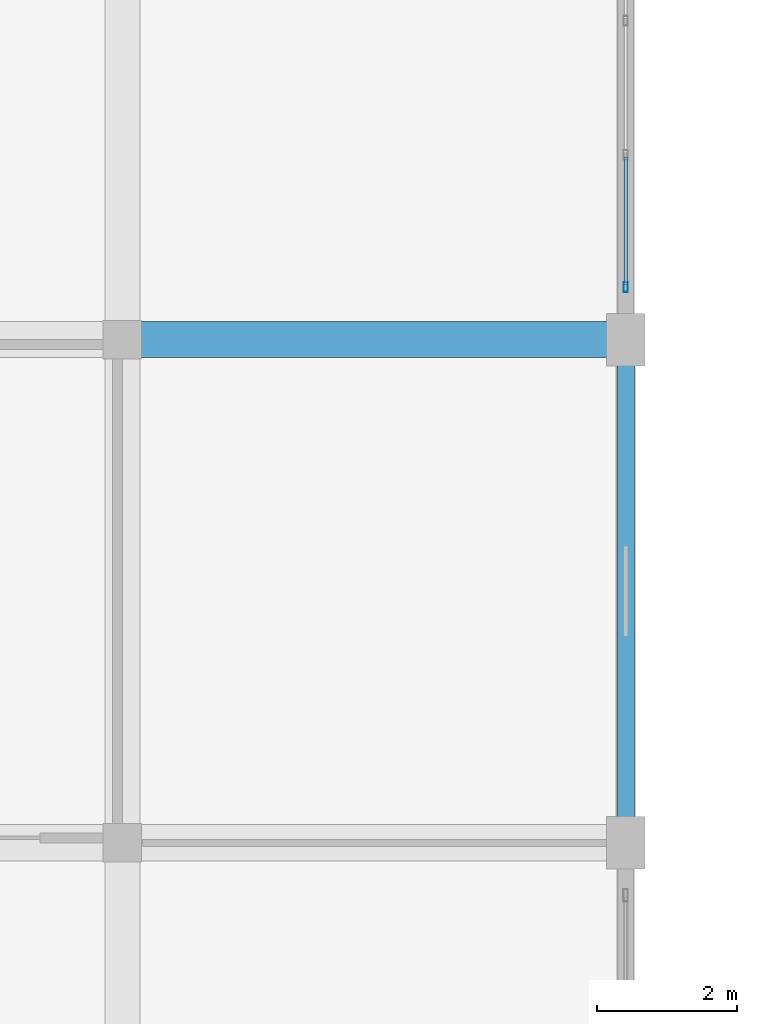
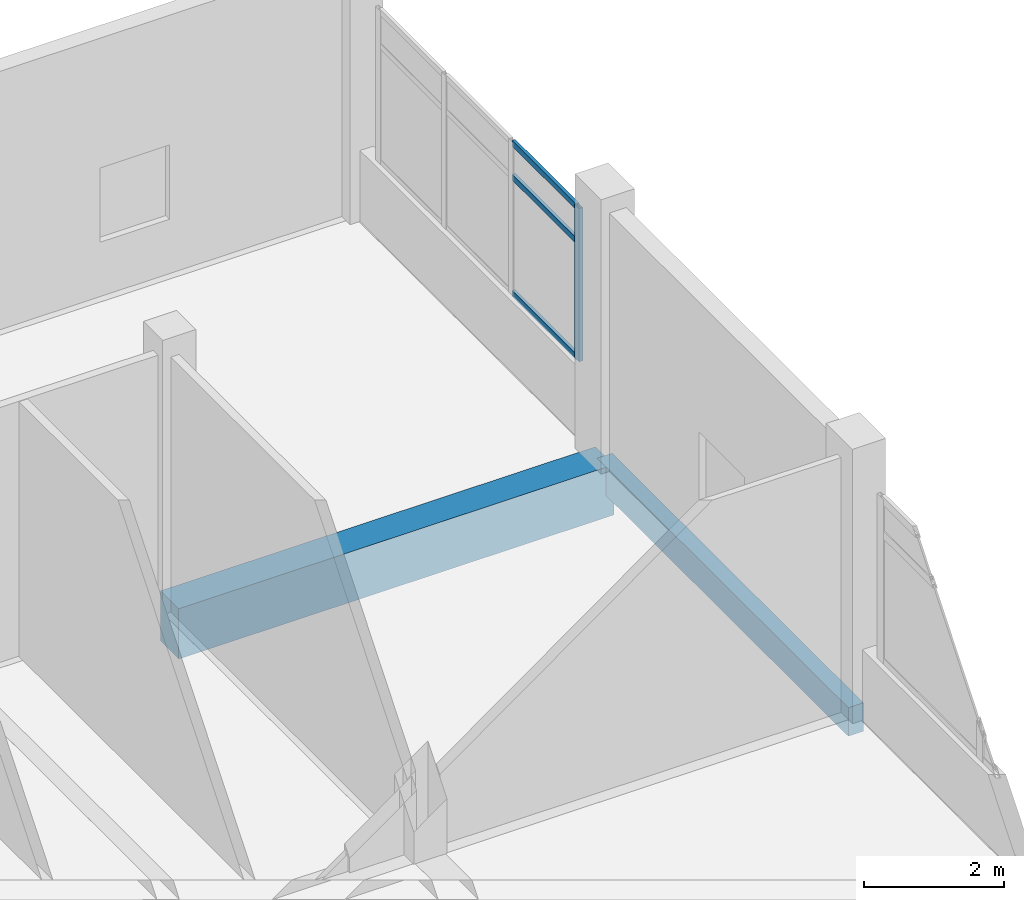
# One storey, part 89 of 140: 4 members, 2 beams, 1 element without a shape of its own.
"""IFC4 building model written with IfcOpenShell, lengths in metres."""

from ifc_helpers import new_model, si_unit, direction, frame, origin, origin_2d, place, context, subcontext, project, spatial, rectangle, hollow_rectangle, extrude, material, layer, layer_set, material_profile, profile_set, type_object, element, aggregate, save


model = new_model("IFC4")

# Units and contexts
model_context = context("Model", 3, precision=1e-05, world=origin(), true_north=direction((0.0, 1.0)))
body_context = subcontext(model_context, "Body", "Model", "MODEL_VIEW")
ifc_project = project(units=[si_unit("LENGTHUNIT", "METRE"), si_unit("AREAUNIT", "SQUARE_METRE"), si_unit("VOLUMEUNIT", "CUBIC_METRE"), si_unit("PLANEANGLEUNIT", "RADIAN"), si_unit("MASSUNIT", "GRAM", prefix="KILO")], contexts=[model_context])

# Site, building, storey
site_placement = place(None, origin())
site = spatial("IfcSite", under=ifc_project, at=site_placement, CompositionType="ELEMENT")
building_placement = place(site_placement, origin())
building = spatial("IfcBuilding", under=site, at=building_placement, Name="Seraya Terrace Polytechnic", CompositionType="ELEMENT")
storey_placement = place(building_placement, frame((0.0, 0.0, 9.60009765625)))
storey = spatial("IfcBuildingStorey", under=building, at=storey_placement, Name="L02", CompositionType="ELEMENT", Elevation=9.60009765625)

# Beam
ifc_material_1 = material(Name="Concrete C40/50", Category="concrete")
ifc_material_profile_1 = material_profile(ifc_material_1, rectangle(XDim=0.52001953125, YDim=0.8798828125, at=origin_2d()), Name="RC 520x880")
ifc_profile_set_1 = profile_set([ifc_material_profile_1], Name="Concrete C40/50")
beam_type_1 = type_object("IfcBeamType", Name="BM-04", PredefinedType="BEAM", material=ifc_profile_set_1)
beam_1_placement = place(storey_placement, frame((158.39990234375, 28.800048828125, -0.440185546875), z_axis=(1.0, 0.0, 0.0), x_axis=(0.0, 1.0, 0.0)))
element("IfcBeam", 1, at=beam_1_placement, inside=storey, type_object=beam_type_1, Name="Beam BM-04 L02 X (158.4..165.6, 28.8)", PredefinedType="BEAM", context=body_context, shape_type="SweptSolid", body=[
    extrude(rectangle(XDim=0.52001953125, YDim=0.8798828125, at=origin_2d()), origin(), (0.0, 0.0, 1.0), 7.2001953125),
])

# Curtain wall, members
ifc_material_2 = material(Name="Anodised aluminium EN AW-6063 T6", Category="aluminium")
ifc_layer = layer(ifc_material_2, 0.179931640625, Name="CW-30")
ifc_layer_set = layer_set([ifc_layer], Name="Anodised aluminium EN AW-6063 T6")
curtain_wall_type = type_object("IfcCurtainWallType", Name="CW-30", PredefinedType="NOTDEFINED", material=ifc_layer_set)
curtain_wall_placement = place(storey_placement, origin())
curtain_wall = element("IfcCurtainWall", 2, at=curtain_wall_placement, inside=storey, type_object=curtain_wall_type, Name="Unitised curtain wall CW-30 (CW-L02-066)", PredefinedType="NOTDEFINED")
ifc_material_profile_2 = material_profile(ifc_material_2, hollow_rectangle(XDim=0.06005859375, YDim=0.139892578125, WallThickness=0.00341796875, at=origin_2d()), Name="RHS 140x60x3.5")
ifc_profile_set_2 = profile_set([ifc_material_profile_2], Name="Anodised aluminium EN AW-6063 T6")
member_type_1 = type_object("IfcMemberType", Name="CWM-03", PredefinedType="MULLION", material=ifc_profile_set_2)
member_1_placement = place(storey_placement, frame((165.60009765625, 29.550048828125, 1.239990234375), z_axis=(0.0, 0.0, 1.0), x_axis=(1.0, 0.0, 0.0)))
member_1 = element("IfcMember", 3, at=member_1_placement, type_object=member_type_1, Name="CW-30 mullion 4", PredefinedType="MULLION", context=body_context, shape_type="SweptSolid", body=[
    extrude(hollow_rectangle(XDim=0.06005859375, YDim=0.139892578125, WallThickness=0.00341796875, at=origin_2d()), origin(), (0.0, 0.0, 1.0), 2.679931640625),
])
ifc_material_profile_3 = material_profile(ifc_material_2, hollow_rectangle(XDim=0.054931640625, YDim=0.10009765625, WallThickness=0.0029296875, at=origin_2d()), Name="RHS 100x55x3.0")
ifc_profile_set_3 = profile_set([ifc_material_profile_3], Name="Anodised aluminium EN AW-6063 T6")
member_type_2 = type_object("IfcMemberType", Name="CWT-03", PredefinedType="USERDEFINED", material=ifc_profile_set_3)
member_2_placement = place(storey_placement, frame((165.60009765625, 31.409912109375, 1.267333984375), z_axis=(0.0, -1.0, 0.0), x_axis=(1.0, 0.0, 0.0)))
member_2 = element("IfcMember", 4, at=member_2_placement, type_object=member_type_2, Name="CW-30 transom 3.1", ObjectType="TRANSOM", PredefinedType="USERDEFINED", context=body_context, shape_type="SweptSolid", body=[
    extrude(hollow_rectangle(XDim=0.054931640625, YDim=0.10009765625, WallThickness=0.0029296875, at=origin_2d()), origin(), (0.0, 0.0, 1.0), 1.829833984375),
])
member_3_placement = place(storey_placement, frame((165.60009765625, 31.409912109375, 3.2998046875), z_axis=(0.0, -1.0, 0.0), x_axis=(1.0, 0.0, 0.0)))
member_3 = element("IfcMember", 5, at=member_3_placement, type_object=member_type_2, Name="CW-30 transom 3.2", ObjectType="TRANSOM", PredefinedType="USERDEFINED", context=body_context, shape_type="SweptSolid", body=[
    extrude(hollow_rectangle(XDim=0.054931640625, YDim=0.10009765625, WallThickness=0.0029296875, at=origin_2d()), origin(), (0.0, 0.0, 1.0), 1.829833984375),
])
member_4_placement = place(storey_placement, frame((165.60009765625, 31.409912109375, 3.892333984375), z_axis=(0.0, -1.0, 0.0), x_axis=(1.0, 0.0, 0.0)))
member_4 = element("IfcMember", 6, at=member_4_placement, type_object=member_type_2, Name="CW-30 transom 3.3", ObjectType="TRANSOM", PredefinedType="USERDEFINED", context=body_context, shape_type="SweptSolid", body=[
    extrude(hollow_rectangle(XDim=0.054931640625, YDim=0.10009765625, WallThickness=0.0029296875, at=origin_2d()), origin(), (0.0, 0.0, 1.0), 1.829833984375),
])
aggregate(curtain_wall, [member_1, member_2, member_3, member_4])

# Beam
ifc_material_profile_4 = material_profile(ifc_material_1, rectangle(XDim=0.25, YDim=0.5, at=origin_2d()), Name="RC 250x500")
ifc_profile_set_4 = profile_set([ifc_material_profile_4], Name="Concrete C40/50")
beam_type_2 = type_object("IfcBeamType", Name="SP-03", PredefinedType="SPANDREL", material=ifc_profile_set_4)
beam_2_placement = place(storey_placement, frame((165.60009765625, 21.60009765625, -0.25), z_axis=(0.0, 1.0, 0.0), x_axis=(-1.0, 0.0, 0.0)))
element("IfcBeam", 7, at=beam_2_placement, inside=storey, type_object=beam_type_2, Name="Beam SP-03 L02 Y (165.6, 21.6..28.8)", PredefinedType="SPANDREL", context=body_context, shape_type="SweptSolid", body=[
    extrude(rectangle(XDim=0.25, YDim=0.5, at=origin_2d()), origin(), (0.0, 0.0, 1.0), 7.199951171875),
])

save(model, "model.ifc")
